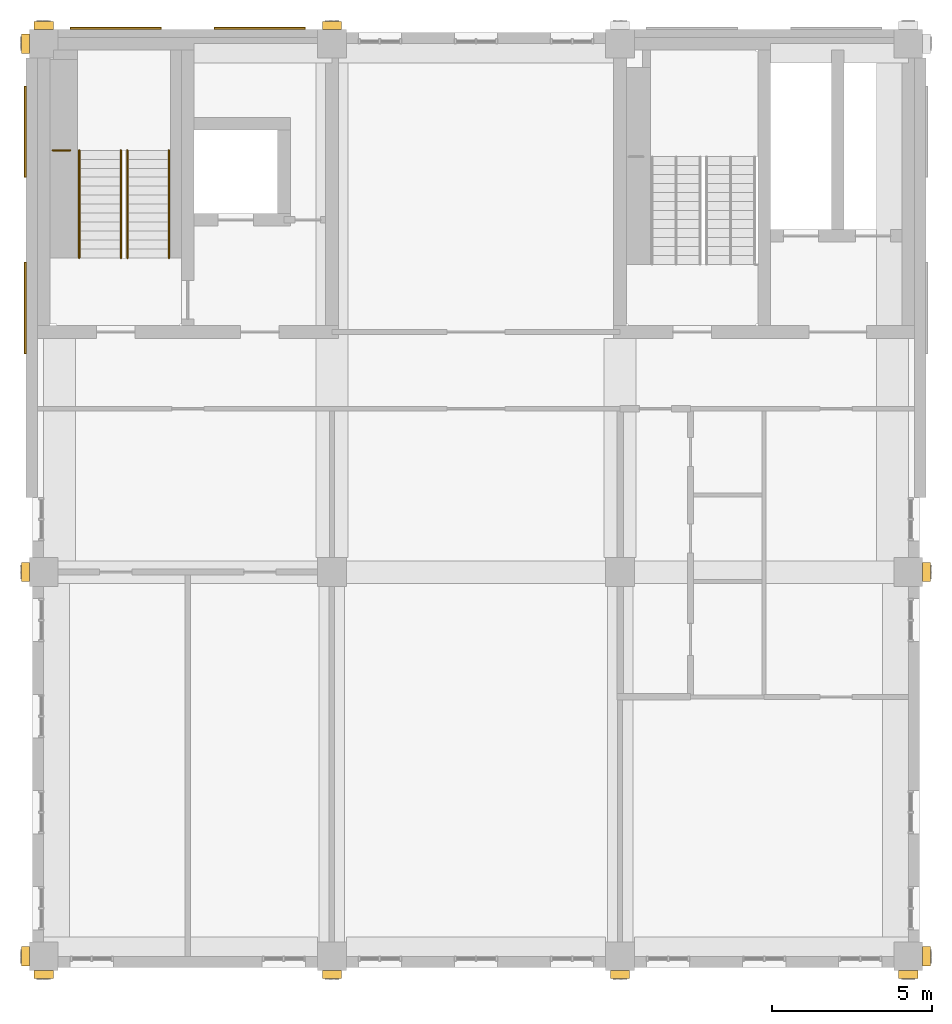
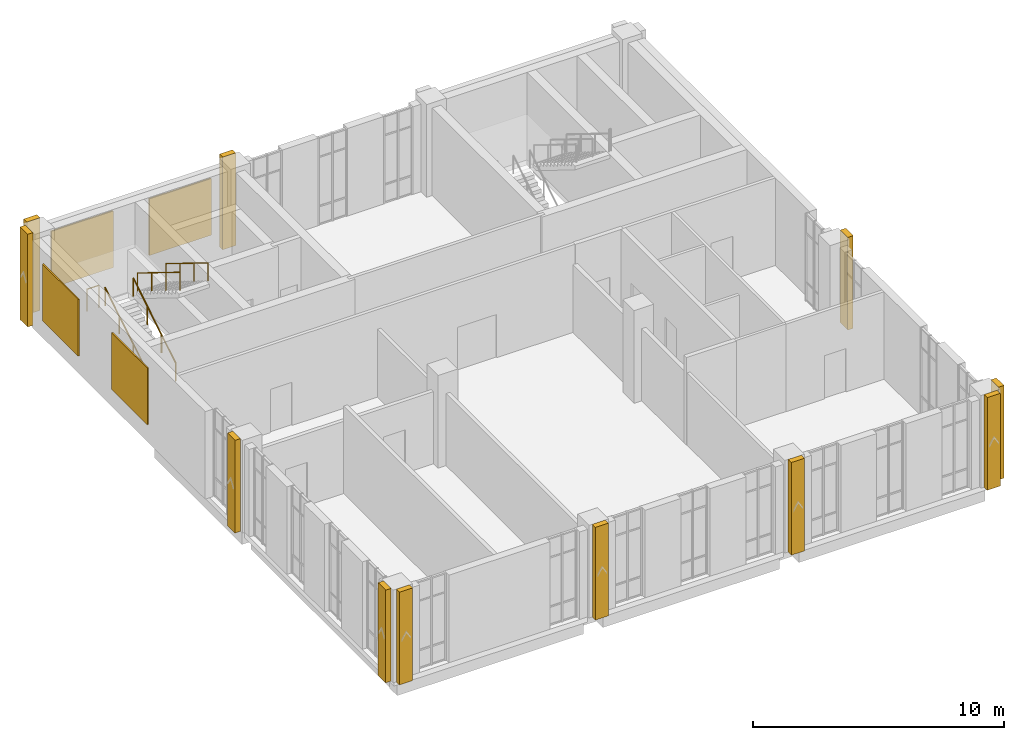
# One storey, part 11 of 13: 15 coverings, 5 railings.
"""IFC4 building model written with IfcOpenShell, lengths in metres."""

from ifc_helpers import new_model, si_unit, direction, frame, origin, origin_2d, place, context, subcontext, project, spatial, rectangle, circle, extrude, material, layer, layer_set, type_object, element, save


model = new_model("IFC4")

# Units and contexts
model_context = context("Model", 3, precision=1e-05, world=origin(), true_north=direction((0.0, 1.0)))
body_context = subcontext(model_context, "Body", "Model", "MODEL_VIEW")
ifc_project = project(units=[si_unit("LENGTHUNIT", "METRE"), si_unit("AREAUNIT", "SQUARE_METRE"), si_unit("VOLUMEUNIT", "CUBIC_METRE"), si_unit("PLANEANGLEUNIT", "RADIAN"), si_unit("MASSUNIT", "GRAM", prefix="KILO")], contexts=[model_context])

# Site, building, storey
site_placement = place(None, origin())
site = spatial("IfcSite", under=ifc_project, at=site_placement, CompositionType="ELEMENT")
building_placement = place(site_placement, origin())
building = spatial("IfcBuilding", under=site, at=building_placement, Name="Aurelan Courthouse", CompositionType="ELEMENT")
storey_placement = place(building_placement, frame((0.0, 0.0, 48.89990234375)))
storey = spatial("IfcBuildingStorey", under=building, at=storey_placement, Name="L09", CompositionType="ELEMENT", Elevation=48.89990234375)

# Coverings
ifc_material_1 = material(Name="Bronze sheet cladding")
ifc_layer = layer(ifc_material_1, 0.06005859375)
ifc_layer_set = layer_set([ifc_layer], Name="Bronze sheet cladding")
covering_type_1 = type_object("IfcCoveringType", Name="Courts' Floors blind bay 2850 x 2750", PredefinedType="CLADDING", material=ifc_layer_set)
for number, where, z_axis, x_axis, name in (
    (1, (2.25, 28.97998046875, 0.900146484375), (0.0, 0.0, 1.0), (1.0, 0.0, 0.0), "Blind bay BB-V5-L09-001"),
    (2, (6.75, 28.97998046875, 0.900146484375), (0.0, 0.0, 1.0), (1.0, 0.0, 0.0), "Blind bay BB-V5-L09-002"),
):
    element("IfcCovering", number, at=place(storey_placement, frame(where, z_axis=z_axis, x_axis=x_axis)), inside=storey, type_object=covering_type_1, Name=name, PredefinedType="CLADDING", context=body_context, shape_type="SweptSolid", body=[
        extrude(rectangle(XDim=2.85009765625, YDim=0.06005859375, at=origin_2d()), origin(), (0.0, 0.0, 1.0), 2.75),
    ])
for number, where, z_axis, x_axis, name in (
    (3, (-0.580078125, 20.25, 0.900146484375), (0.0, 0.0, 1.0), (1.0, 0.0, 0.0), "Blind bay BB-V5-L09-007"),
    (4, (-0.580078125, 25.75, 0.900146484375), (0.0, 0.0, 1.0), (1.0, 0.0, 0.0), "Blind bay BB-V5-L09-008"),
):
    element("IfcCovering", number, at=place(storey_placement, frame(where, z_axis=z_axis, x_axis=x_axis)), inside=storey, type_object=covering_type_1, Name=name, PredefinedType="CLADDING", context=body_context, shape_type="SweptSolid", body=[
        extrude(rectangle(XDim=0.06005859375, YDim=2.85009765625, at=origin_2d()), origin(), (0.0, 0.0, 1.0), 2.75),
    ])
ifc_material_2 = material(Name="Limestone cladding", Category="masonry")
covering_type_2 = type_object("IfcCoveringType", Name="Courts' Floors pilaster fin 600 x 250", PredefinedType="CLADDING", material=ifc_material_2)
for number, where, z_axis, x_axis, name in (
    (5, (0.0, -0.574951171875, 0.0), (0.0, 0.0, 1.0), (1.0, 0.0, 0.0), "Pilaster fin FN-V5-099"),
    (6, (9.0, -0.574951171875, 0.0), (0.0, 0.0, 1.0), (1.0, 0.0, 0.0), "Pilaster fin FN-V5-100"),
    (7, (18.0, -0.574951171875, 0.0), (0.0, 0.0, 1.0), (1.0, 0.0, 0.0), "Pilaster fin FN-V5-101"),
    (8, (27.0, -0.574951171875, 0.0), (0.0, 0.0, 1.0), (1.0, 0.0, 0.0), "Pilaster fin FN-V5-102"),
    (9, (0.0, 29.074951171875, 0.0), (0.0, 0.0, 1.0), (1.0, 0.0, 0.0), "Pilaster fin FN-V5-103"),
    (10, (9.0, 29.074951171875, 0.0), (0.0, 0.0, 1.0), (1.0, 0.0, 0.0), "Pilaster fin FN-V5-104"),
):
    element("IfcCovering", number, at=place(storey_placement, frame(where, z_axis=z_axis, x_axis=x_axis)), inside=storey, type_object=covering_type_2, Name=name, PredefinedType="CLADDING", context=body_context, shape_type="SweptSolid", body=[
        extrude(rectangle(XDim=0.60009765625, YDim=0.25, at=origin_2d()), origin(), (0.0, 0.0, 1.0), 4.5),
    ])
for number, where, z_axis, x_axis, name in (
    (11, (27.574951171875, 0.0, 0.0), (0.0, 0.0, 1.0), (1.0, 0.0, 0.0), "Pilaster fin FN-V5-107"),
    (12, (27.574951171875, 12.0, 0.0), (0.0, 0.0, 1.0), (1.0, 0.0, 0.0), "Pilaster fin FN-V5-108"),
    (13, (-0.574951171875, 0.0, 0.0), (0.0, 0.0, 1.0), (1.0, 0.0, 0.0), "Pilaster fin FN-V5-110"),
    (14, (-0.574951171875, 12.0, 0.0), (0.0, 0.0, 1.0), (1.0, 0.0, 0.0), "Pilaster fin FN-V5-111"),
    (15, (-0.574951171875, 28.5, 0.0), (0.0, 0.0, 1.0), (1.0, 0.0, 0.0), "Pilaster fin FN-V5-112"),
):
    element("IfcCovering", number, at=place(storey_placement, frame(where, z_axis=z_axis, x_axis=x_axis)), inside=storey, type_object=covering_type_2, Name=name, PredefinedType="CLADDING", context=body_context, shape_type="SweptSolid", body=[
        extrude(rectangle(XDim=0.25, YDim=0.60009765625, at=origin_2d()), origin(), (0.0, 0.0, 1.0), 4.5),
    ])

# Railings
ifc_material_3 = material(Name="Steel S355", Category="steel")
railing_type_1 = type_object("IfcRailingType", Name="Stair guard 1100", PredefinedType="GUARDRAIL", material=ifc_material_3)
railing_placement = place(storey_placement, frame((0.830078125, 25.169921875, 2.25)))
element("IfcRailing", 16, at=railing_placement, inside=storey, type_object=railing_type_1, Name="Guard ST-5B-L09-GL1", PredefinedType="GUARDRAIL", context=body_context, shape_type="SweptSolid", body=[
    extrude(circle(Radius=0.02392578125, at=origin_2d()), frame((0.0, 0.0, 1.076171875), z_axis=(-1.0, 0.0, 0.0), x_axis=(0.0, -1.0, 0.0)), (0.0, 0.0, 1.0), 0.550048828125),
    extrude(circle(Radius=0.02099609375, at=origin_2d()), origin(), (0.0, 0.0, 1.0), 1.052001953125),
    extrude(circle(Radius=0.02099609375, at=origin_2d()), frame((-0.550048828125, 0.0, 0.0)), (0.0, 0.0, 1.0), 1.052001953125),
])
railing_type_2 = type_object("IfcRailingType", Name="Stair handrail 900", PredefinedType="HANDRAIL", material=ifc_material_3)
for number, where, name in (
    (17, (1.110107421875, 21.81005859375, 0.173095703125), "Handrail ST-5B-L09-H1"),
    (18, (2.409912109375, 21.81005859375, 0.173095703125), "Handrail ST-5B-L09-H2"),
):
    element("IfcRailing", number, at=place(storey_placement, frame(where)), inside=storey, type_object=railing_type_2, Name=name, PredefinedType="HANDRAIL", context=body_context, shape_type="SweptSolid", body=[
        extrude(circle(Radius=0.02392578125, at=origin_2d()), frame((0.0, 0.0, 0.8759765625), z_axis=(0.0, 0.850606129759, 0.525803396734), x_axis=(-1.0, 0.0, 0.0)), (0.0, 0.0, 1.0), 3.949951171875),
        extrude(circle(Radius=0.02099609375, at=origin_2d()), origin(), (0.0, 0.0, 1.0), 0.851806640625),
        extrude(circle(Radius=0.02099609375, at=origin_2d()), frame((0.0, 1.119873046875, 0.6923828125)), (0.0, 0.0, 1.0), 0.851806640625),
        extrude(circle(Radius=0.02099609375, at=origin_2d()), frame((0.0, 2.239990234375, 1.384521484375)), (0.0, 0.0, 1.0), 0.851806640625),
        extrude(circle(Radius=0.02099609375, at=origin_2d()), frame((0.0, 3.35986328125, 2.076904296875)), (0.0, 0.0, 1.0), 0.851806640625),
    ])
for number, where, name in (
    (19, (2.610107421875, 25.169921875, 2.423095703125), "Handrail ST-5B-L09-H3"),
    (20, (3.909912109375, 25.169921875, 2.423095703125), "Handrail ST-5B-L09-H4"),
):
    element("IfcRailing", number, at=place(storey_placement, frame(where)), inside=storey, type_object=railing_type_2, Name=name, PredefinedType="HANDRAIL", context=body_context, shape_type="SweptSolid", body=[
        extrude(circle(Radius=0.02392578125, at=origin_2d()), frame((0.0, 0.0, 0.8759765625), z_axis=(0.0, -0.850606129759, 0.525803396734), x_axis=(1.0, 0.0, 0.0)), (0.0, 0.0, 1.0), 3.949951171875),
        extrude(circle(Radius=0.02099609375, at=origin_2d()), origin(), (0.0, 0.0, 1.0), 0.851806640625),
        extrude(circle(Radius=0.02099609375, at=origin_2d()), frame((0.0, -1.119873046875, 0.6923828125)), (0.0, 0.0, 1.0), 0.851806640625),
        extrude(circle(Radius=0.02099609375, at=origin_2d()), frame((0.0, -2.239990234375, 1.384521484375)), (0.0, 0.0, 1.0), 0.851806640625),
        extrude(circle(Radius=0.02099609375, at=origin_2d()), frame((0.0, -3.35986328125, 2.076904296875)), (0.0, 0.0, 1.0), 0.851806640625),
    ])

save(model, "model.ifc")
